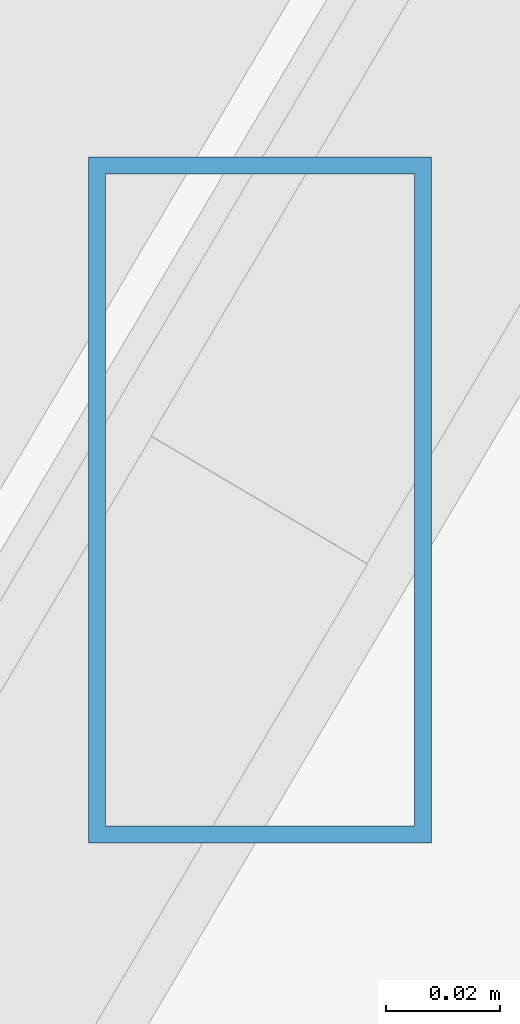
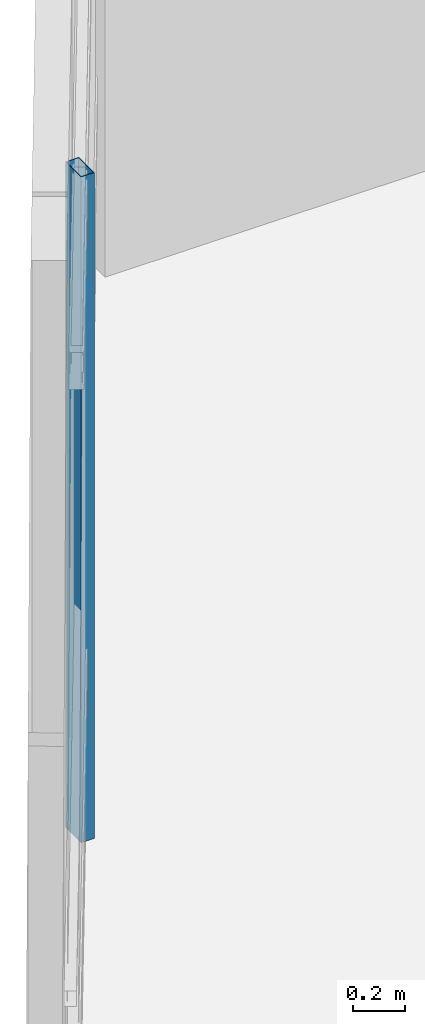
# One storey, part 7 of 48: 1 member, 1 element without a shape of its own.
"""IFC4 building model written with IfcOpenShell, lengths in metres."""

from ifc_helpers import new_model, si_unit, direction, frame, origin, origin_2d, place, context, subcontext, project, spatial, hollow_rectangle, extrude, source, transform, mapped, material, material_profile, profile_set, type_object, type_shapes, element, aggregate, save


model = new_model("IFC4")

# Units and contexts
model_context = context("Model", 3, precision=1e-05, world=origin(), true_north=direction((0.0, 1.0)))
body_context = subcontext(model_context, "Body", "Model", "MODEL_VIEW")
ifc_project = project(units=[si_unit("LENGTHUNIT", "METRE"), si_unit("AREAUNIT", "SQUARE_METRE"), si_unit("VOLUMEUNIT", "CUBIC_METRE"), si_unit("PLANEANGLEUNIT", "RADIAN"), si_unit("MASSUNIT", "GRAM", prefix="KILO")], contexts=[model_context])

# Site, building, storey
site_placement = place(None, origin())
site = spatial("IfcSite", under=ifc_project, at=site_placement, CompositionType="ELEMENT")
building_placement = place(site_placement, origin())
building = spatial("IfcBuilding", under=site, at=building_placement, Name="Caelisora Broadcast Tower", CompositionType="ELEMENT")
storey_placement = place(building_placement, frame((0.0, 0.0, 300.0)))
storey = spatial("IfcBuildingStorey", under=building, at=storey_placement, Name="L79", CompositionType="ELEMENT", Elevation=300.0)

# Curtain wall, member
ifc_material_1 = material(Name="Unitised Aluminium Insulated Shadow-Box Spandrel Curtain Wall", Category="aluminium")
curtain_wall_type = type_object("IfcCurtainWallType", Name="CW-SP3", PredefinedType="NOTDEFINED", material=ifc_material_1)
curtain_wall_placement = place(storey_placement, origin())
curtain_wall = element("IfcCurtainWall", 1, at=curtain_wall_placement, inside=storey, type_object=curtain_wall_type, Name="L79 curtain wall CW-SP3", PredefinedType="NOTDEFINED")
ifc_material_2 = material(Name="Aluminium 6063-T6 Anodised Terracotta Bronze", Category="aluminium")
ifc_material_profile = material_profile(ifc_material_2, hollow_rectangle(XDim=0.06005859375, YDim=0.1201171875, WallThickness=0.0029296875, at=origin_2d()), Name="Aluminium 6063-T6 Anodised Terracotta Bronze")
ifc_profile_set = profile_set([ifc_material_profile], Name="Aluminium 6063-T6 Anodised Terracotta Bronze")
member_type = type_object("IfcMemberType", Name="CWM-04", PredefinedType="MULLION", material=ifc_profile_set)
shared_shape = source(origin(), body_context, "Body", "SweptSolid", [
    extrude(hollow_rectangle(XDim=0.06005859375, YDim=0.1201171875, WallThickness=0.0029296875, at=origin_2d()), origin(), (0.0, 0.0, 1.0), 3.14990234375),
])
type_shapes(member_type, [shared_shape])
member_placement = place(storey_placement, frame((15.869384765625, 16.707275390625, 0.0), z_axis=(0.0, 0.0, 1.0), x_axis=(1.0, 0.0, 0.0)))
member = element("IfcMember", 2, at=member_placement, type_object=member_type, Name="L79-CW-B09 mullion #1", PredefinedType="MULLION", context=body_context, shape_type="MappedRepresentation", body=[
    mapped(shared_shape, transform((0.0, 0.0, 0.0), scale=1.0)),
])
aggregate(curtain_wall, [member])

save(model, "model.ifc")
